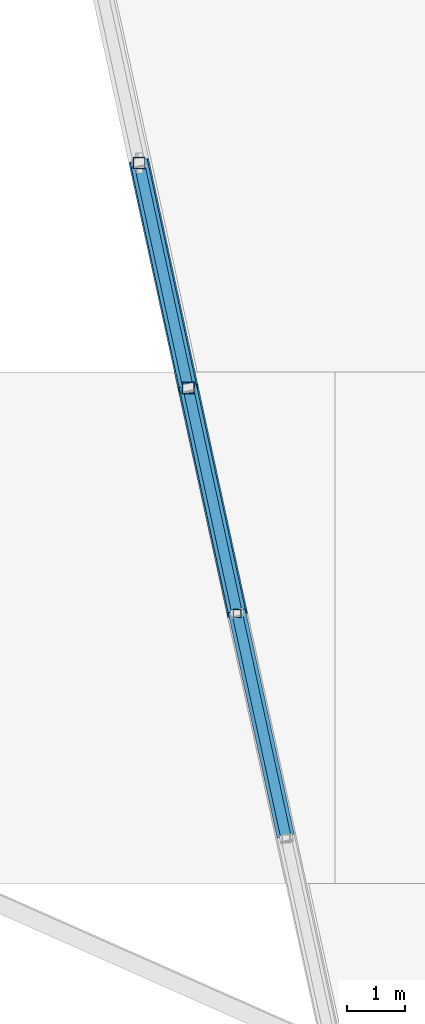
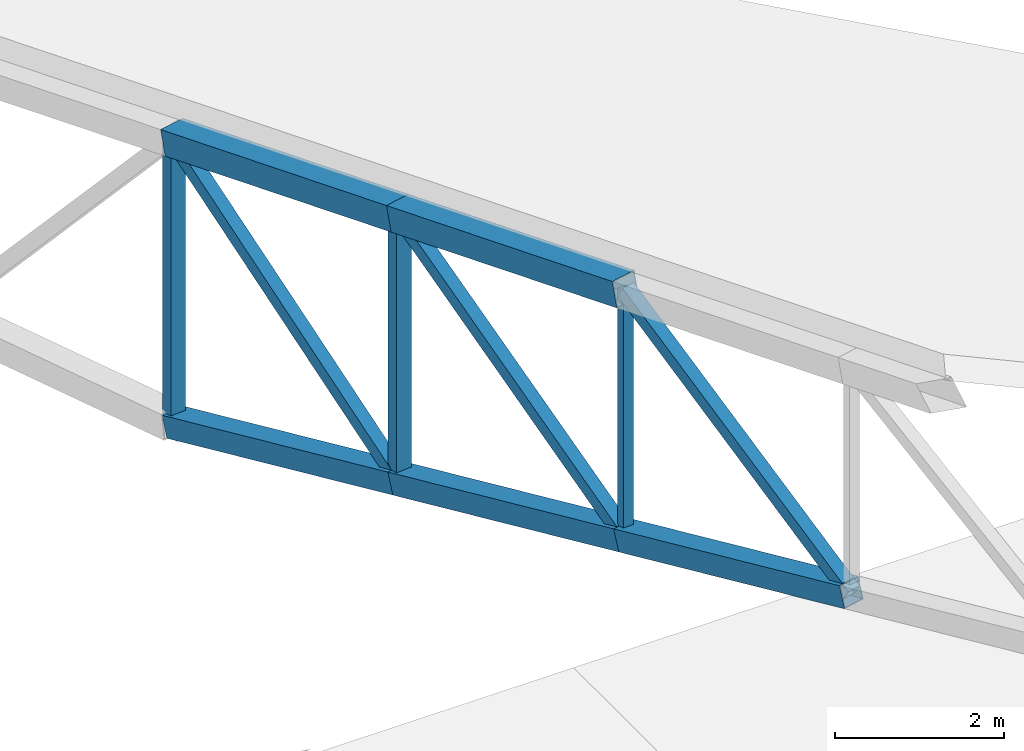
# One storey, part 29 of 188: 11 members.
"""IFC4 building model written with IfcOpenShell, lengths in metres."""

from ifc_helpers import new_model, si_unit, direction, frame, origin, origin_2d, place, context, subcontext, project, spatial, hollow_rectangle, extrude, material, material_profile, profile_set, type_object, element, save


model = new_model("IFC4")

# Units and contexts
model_context = context("Model", 3, precision=1e-05, world=origin(), true_north=direction((0.0, 1.0)))
body_context = subcontext(model_context, "Body", "Model", "MODEL_VIEW")
ifc_project = project(units=[si_unit("LENGTHUNIT", "METRE"), si_unit("AREAUNIT", "SQUARE_METRE"), si_unit("VOLUMEUNIT", "CUBIC_METRE"), si_unit("PLANEANGLEUNIT", "RADIAN"), si_unit("MASSUNIT", "GRAM", prefix="KILO")], contexts=[model_context])

# Site, building, storey
site_placement = place(None, origin())
site = spatial("IfcSite", under=ifc_project, at=site_placement, CompositionType="ELEMENT")
building_placement = place(site_placement, origin())
building = spatial("IfcBuilding", under=site, at=building_placement, Name="Meseta Stadium", CompositionType="ELEMENT")
storey_placement = place(building_placement, frame((0.0, 0.0, 30.0)))
storey = spatial("IfcBuildingStorey", under=building, at=storey_placement, Name="ROOF", CompositionType="ELEMENT", Elevation=30.0)

# Members
ifc_material_1 = material(Name="Steel S355", Category="steel")
ifc_material_profile_1 = material_profile(ifc_material_1, hollow_rectangle(XDim=0.139892578125, YDim=0.139892578125, WallThickness=0.0048828125, at=origin_2d()), Name="SHS 140x140x5")
ifc_profile_set_1 = profile_set([ifc_material_profile_1], Name="Steel S355")
member_type_1 = type_object("IfcMemberType", Name="SHS 140x140x5 post", PredefinedType="POST", material=ifc_profile_set_1)
member_1_placement = place(storey_placement, frame((21.313720703125, -97.65185546875, 5.011962890625), z_axis=(0.0, 0.0, 1.0), x_axis=(1.0, 0.0, 0.0)))
element("IfcMember", 1, at=member_1_placement, inside=storey, type_object=member_type_1, Name="ROOF TRUSS RT-48 post", PredefinedType="POST", context=body_context, shape_type="SweptSolid", body=[
    extrude(hollow_rectangle(XDim=0.139892578125, YDim=0.139892578125, WallThickness=0.0048828125, at=origin_2d()), origin(), (0.0, 0.0, 1.0), 3.552734375),
])
ifc_material_2 = material(Name="Steel S355", Category="steel")
ifc_material_profile_2 = material_profile(ifc_material_2, hollow_rectangle(XDim=0.179931640625, YDim=0.179931640625, WallThickness=0.00634765625, at=origin_2d()), Name="SHS 180x180x6.3")
ifc_profile_set_2 = profile_set([ifc_material_profile_2], Name="Steel S355")
member_type_2 = type_object("IfcMemberType", Name="SHS 180x180x6.3 diagonal", PredefinedType="BRACE", material=ifc_profile_set_2)
member_2_placement = place(storey_placement, frame((19.62744140625, -89.90380859375, 6.6474609375), z_axis=(0.172285489606, -0.791495700365, -0.58638917655), x_axis=(0.977119641805, 0.212690398462, 0.0)))
element("IfcMember", 2, at=member_2_placement, inside=storey, type_object=member_type_2, Name="ROOF TRUSS RT-48 diagonal", PredefinedType="BRACE", context=body_context, shape_type="SweptSolid", body=[
    extrude(hollow_rectangle(XDim=0.179931640625, YDim=0.179931640625, WallThickness=0.00634765625, at=origin_2d()), origin(), (0.0, 0.0, 1.0), 4.89453125),
])
member_3_placement = place(storey_placement, frame((20.470703125, -93.77783203125, 7.606201171875), z_axis=(0.177926232495, -0.817646526853, -0.547536677233), x_axis=(0.977132437588, 0.212631604928, 0.0)))
element("IfcMember", 3, at=member_3_placement, inside=storey, type_object=member_type_2, Name="ROOF TRUSS RT-48 diagonal", PredefinedType="BRACE", context=body_context, shape_type="SweptSolid", body=[
    extrude(hollow_rectangle(XDim=0.179931640625, YDim=0.179931640625, WallThickness=0.00634765625, at=origin_2d()), origin(), (0.0, 0.0, 1.0), 4.738037109375),
])
member_4_placement = place(storey_placement, frame((21.313720703125, -97.65185546875, 8.564697265625), z_axis=(0.183614450308, -0.843542008538, -0.504700518595), x_axis=(0.977119641805, 0.212690398462, 0.0)))
element("IfcMember", 4, at=member_4_placement, inside=storey, type_object=member_type_2, Name="ROOF TRUSS RT-48 diagonal", PredefinedType="BRACE", context=body_context, shape_type="SweptSolid", body=[
    extrude(hollow_rectangle(XDim=0.179931640625, YDim=0.179931640625, WallThickness=0.00634765625, at=origin_2d()), origin(), (0.0, 0.0, 1.0), 4.592529296875),
])
ifc_material_3 = material(Name="Steel S355", Category="steel")
ifc_material_profile_3 = material_profile(ifc_material_3, hollow_rectangle(XDim=0.199951171875, YDim=0.199951171875, WallThickness=0.008056640625, at=origin_2d()), Name="SHS 200x200x8")
ifc_profile_set_3 = profile_set([ifc_material_profile_3], Name="Steel S355")
member_type_3 = type_object("IfcMemberType", Name="SHS 200x200x8 post", PredefinedType="POST", material=ifc_profile_set_3)
member_5_placement = place(storey_placement, frame((19.62744140625, -89.90380859375, 2.54248046875), z_axis=(0.0, 0.0, 1.0), x_axis=(1.0, 0.0, 0.0)))
element("IfcMember", 5, at=member_5_placement, inside=storey, type_object=member_type_3, Name="ROOF TRUSS RT-48 post", PredefinedType="POST", context=body_context, shape_type="SweptSolid", body=[
    extrude(hollow_rectangle(XDim=0.199951171875, YDim=0.199951171875, WallThickness=0.008056640625, at=origin_2d()), origin(), (0.0, 0.0, 1.0), 4.10498046875),
])
member_6_placement = place(storey_placement, frame((20.470703125, -93.77783203125, 3.77734375), z_axis=(0.0, 0.0, 1.0), x_axis=(1.0, 0.0, 0.0)))
element("IfcMember", 6, at=member_6_placement, inside=storey, type_object=member_type_3, Name="ROOF TRUSS RT-48 post", PredefinedType="POST", context=body_context, shape_type="SweptSolid", body=[
    extrude(hollow_rectangle(XDim=0.199951171875, YDim=0.199951171875, WallThickness=0.008056640625, at=origin_2d()), origin(), (0.0, 0.0, 1.0), 3.828857421875),
])
ifc_material_4 = material(Name="Steel S355", Category="steel")
ifc_material_profile_4 = material_profile(ifc_material_4, hollow_rectangle(XDim=0.300048828125, YDim=0.300048828125, WallThickness=0.010009765625, at=origin_2d()), Name="SHS 300x300x10")
ifc_profile_set_4 = profile_set([ifc_material_profile_4], Name="Steel S355")
member_type_4 = type_object("IfcMemberType", Name="SHS 300x300x10 bottom chord", PredefinedType="CHORD", material=ifc_profile_set_4)
for number, where, z_axis, x_axis, name in (
    (7, (19.62744140625, -89.90380859375, 2.54248046875), (0.203068674652, -0.932916540061, 0.297371556568), (0.977119641805, 0.212690398462, 0.0), "ROOF TRUSS RT-48 bottom chord"),
    (8, (20.470703125, -93.77783203125, 3.77734375), (0.203015854858, -0.932943986357, 0.297321511155), (0.977132437588, 0.212631604928, 0.0), "ROOF TRUSS RT-48 bottom chord"),
    (9, (21.313720703125, -97.65185546875, 5.011962890625), (0.203068674652, -0.932916540061, 0.297371556568), (0.977119641805, 0.212690398462, 0.0), "ROOF TRUSS RT-48 bottom chord"),
):
    element("IfcMember", number, at=place(storey_placement, frame(where, z_axis=z_axis, x_axis=x_axis)), inside=storey, type_object=member_type_4, Name=name, PredefinedType="CHORD", context=body_context, shape_type="SweptSolid", body=[
        extrude(hollow_rectangle(XDim=0.300048828125, YDim=0.300048828125, WallThickness=0.010009765625, at=origin_2d()), origin(), (0.0, 0.0, 1.0), 4.152587890625),
    ])
ifc_material_5 = material(Name="Steel S355", Category="steel")
ifc_material_profile_5 = material_profile(ifc_material_5, hollow_rectangle(XDim=0.35009765625, YDim=0.35009765625, WallThickness=0.010009765625, at=origin_2d()), Name="SHS 350x350x10")
ifc_profile_set_5 = profile_set([ifc_material_profile_5], Name="Steel S355")
member_type_5 = type_object("IfcMemberType", Name="SHS 350x350x10 top chord", PredefinedType="CHORD", material=ifc_profile_set_5)
member_7_placement = place(storey_placement, frame((20.470703125, -93.77783203125, 7.606201171875), z_axis=(0.206677517201, -0.949770878352, 0.234988685935), x_axis=(0.977132437588, 0.212631604928, 0.0)))
element("IfcMember", 10, at=member_7_placement, inside=storey, type_object=member_type_5, Name="ROOF TRUSS RT-48 top chord", PredefinedType="CHORD", context=body_context, shape_type="SweptSolid", body=[
    extrude(hollow_rectangle(XDim=0.35009765625, YDim=0.35009765625, WallThickness=0.010009765625, at=origin_2d()), origin(), (0.0, 0.0, 1.0), 4.078857421875),
])
ifc_material_6 = material(Name="Steel S355", Category="steel")
ifc_material_profile_6 = material_profile(ifc_material_6, hollow_rectangle(XDim=0.35009765625, YDim=0.35009765625, WallThickness=0.01416015625, at=origin_2d()), Name="SHS 350x350x14.2")
ifc_profile_set_6 = profile_set([ifc_material_profile_6], Name="Steel S355")
member_type_6 = type_object("IfcMemberType", Name="SHS 350x350x14.2 top chord", PredefinedType="CHORD", material=ifc_profile_set_6)
member_8_placement = place(storey_placement, frame((19.62744140625, -89.90380859375, 6.6474609375), z_axis=(0.20673190591, -0.949745768087, 0.235042326146), x_axis=(0.977119641805, 0.212690398462, 0.0)))
element("IfcMember", 11, at=member_8_placement, inside=storey, type_object=member_type_6, Name="ROOF TRUSS RT-48 top chord", PredefinedType="CHORD", context=body_context, shape_type="SweptSolid", body=[
    extrude(hollow_rectangle(XDim=0.35009765625, YDim=0.35009765625, WallThickness=0.01416015625, at=origin_2d()), origin(), (0.0, 0.0, 1.0), 4.0791015625),
])

save(model, "model.ifc")
